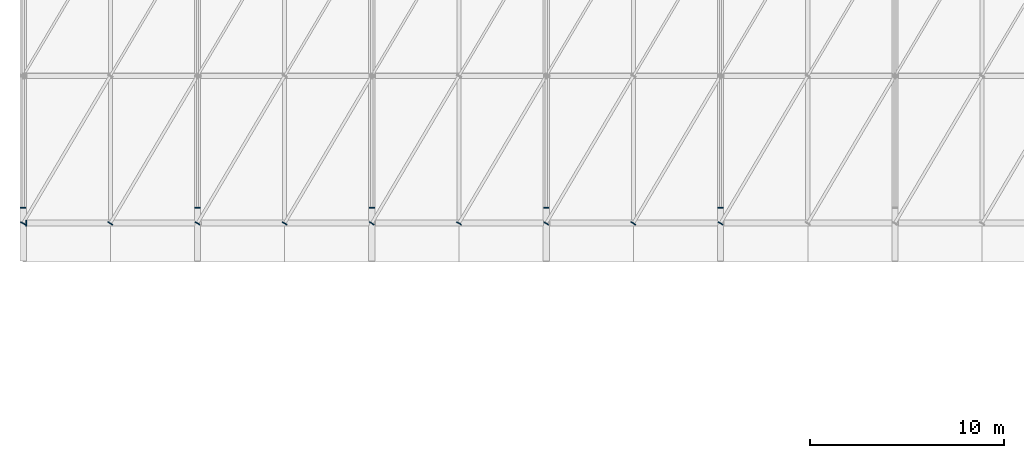
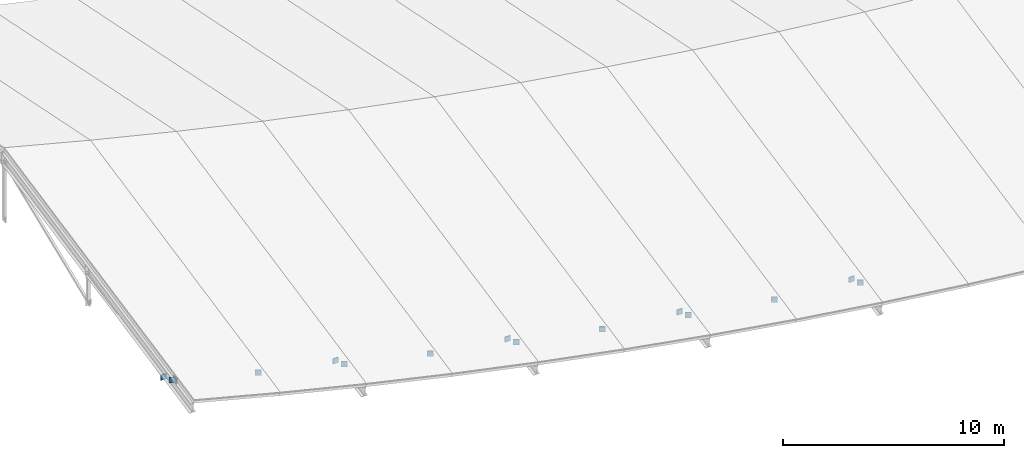
# One storey, part 15 of 21: 15 plates.
"""IFC4 building model written with IfcOpenShell, lengths in metres."""

from ifc_helpers import new_model, si_unit, direction, frame, origin, origin_2d, place, context, subcontext, project, spatial, rectangle, extrude, material, layer, layer_set, type_object, element, save


model = new_model("IFC4")

# Units and contexts
model_context = context("Model", 3, precision=1e-05, world=origin(), true_north=direction((0.0, 1.0)))
body_context = subcontext(model_context, "Body", "Model", "MODEL_VIEW")
ifc_project = project(units=[si_unit("LENGTHUNIT", "METRE"), si_unit("AREAUNIT", "SQUARE_METRE"), si_unit("VOLUMEUNIT", "CUBIC_METRE"), si_unit("PLANEANGLEUNIT", "RADIAN"), si_unit("MASSUNIT", "GRAM", prefix="KILO")], contexts=[model_context])

# Site, building, storey
site_placement = place(None, origin())
site = spatial("IfcSite", under=ifc_project, at=site_placement, CompositionType="ELEMENT")
building_placement = place(site_placement, origin())
building = spatial("IfcBuilding", under=site, at=building_placement, Name="Caisbarro Railhouse Central Library", CompositionType="ELEMENT")
storey_placement = place(building_placement, frame((0.0, 0.0, 26.639892578125)))
storey = spatial("IfcBuildingStorey", under=building, at=storey_placement, Name="RF", CompositionType="ELEMENT", Elevation=26.639892578125)

# Plates
ifc_material = material(Name="Steel ASTM A572 Grade 50", Category="steel")
ifc_layer_1 = layer(ifc_material, 0.044921875, Name="Steel ASTM A572 Grade 50")
ifc_layer_set_1 = layer_set([ifc_layer_1], Name="Steel ASTM A572 Grade 50")
plate_type_1 = type_object("IfcPlateType", Name="PLT-EP01", PredefinedType="SHEET", material=ifc_layer_set_1)
for number, where, z_axis, x_axis, name in (
    (1, (0.0, 31.188232421875, -1.16064453125), (0.0, 0.0, 1.0), (0.0, 1.0, 0.0), "EP01 end cap plate"),
    (2, (9.0, 31.188232421875, -3.41064453125), (0.0, 0.0, 1.0), (0.0, 1.0, 0.0), "EP01 end cap plate"),
    (3, (18.0, 31.188232421875, -5.36083984375), (0.0, 0.0, 1.0), (0.0, 1.0, 0.0), "EP01 end cap plate"),
    (4, (27.0, 31.188232421875, -7.0107421875), (0.0, 0.0, 1.0), (0.0, 1.0, 0.0), "EP01 end cap plate"),
    (5, (36.0, 31.188232421875, -8.36083984375), (0.0, 0.0, 1.0), (0.0, 1.0, 0.0), "EP01 end cap plate"),
    (6, (-0.006103515625, 30.3896484375, -0.8603515625), (0.0, 0.0, 1.0), (0.509492029423, 0.860475375565, 0.0), "EP01 end cap plate"),
    (7, (4.493896484375, 30.3896484375, -2.02294921875), (0.0, 0.0, 1.0), (0.509492029423, 0.860475375565, 0.0), "EP01 end cap plate"),
    (8, (8.993896484375, 30.3896484375, -3.11083984375), (0.0, 0.0, 1.0), (0.509492029423, 0.860475375565, 0.0), "EP01 end cap plate"),
    (9, (13.493896484375, 30.3896484375, -4.123046875), (0.0, 0.0, 1.0), (0.509492029423, 0.860475375565, 0.0), "EP01 end cap plate"),
    (10, (17.993896484375, 30.3896484375, -5.06103515625), (0.0, 0.0, 1.0), (0.509492029423, 0.860475375565, 0.0), "EP01 end cap plate"),
    (11, (22.493896484375, 30.3896484375, -5.92333984375), (0.0, 0.0, 1.0), (0.509492029423, 0.860475375565, 0.0), "EP01 end cap plate"),
    (12, (26.993896484375, 30.3896484375, -6.7109375), (0.0, 0.0, 1.0), (0.509492029423, 0.860475375565, 0.0), "EP01 end cap plate"),
    (13, (31.493896484375, 30.3896484375, -7.423828125), (0.0, 0.0, 1.0), (0.509492029423, 0.860475375565, 0.0), "EP01 end cap plate"),
    (14, (35.993896484375, 30.3896484375, -8.06103515625), (0.0, 0.0, 1.0), (0.509492029423, 0.860475375565, 0.0), "EP01 end cap plate"),
):
    element("IfcPlate", number, at=place(storey_placement, frame(where, z_axis=z_axis, x_axis=x_axis)), inside=storey, type_object=plate_type_1, Name=name, PredefinedType="SHEET", context=body_context, shape_type="SweptSolid", body=[
        extrude(rectangle(XDim=0.044921875, YDim=0.280029296875, at=origin_2d()), origin(), (0.0, 0.0, 1.0), 0.300048828125),
    ])
ifc_layer_2 = layer(ifc_material, 0.054931640625, Name="Steel ASTM A572 Grade 50")
ifc_layer_set_2 = layer_set([ifc_layer_2], Name="Steel ASTM A572 Grade 50")
plate_type_2 = type_object("IfcPlateType", Name="PLT-EP02", PredefinedType="SHEET", material=ifc_layer_set_2)
plate_placement = place(storey_placement, frame((0.1533203125, 30.39990234375, -0.908203125), z_axis=(0.0, 0.0, 1.0), x_axis=(1.0, 0.0, 0.0)))
element("IfcPlate", 15, at=plate_placement, inside=storey, type_object=plate_type_2, Name="EP02 end cap plate", PredefinedType="SHEET", context=body_context, shape_type="SweptSolid", body=[
    extrude(rectangle(XDim=0.054931640625, YDim=0.320068359375, at=origin_2d()), origin(), (0.0, 0.0, 1.0), 0.320068359375),
])

save(model, "model.ifc")
